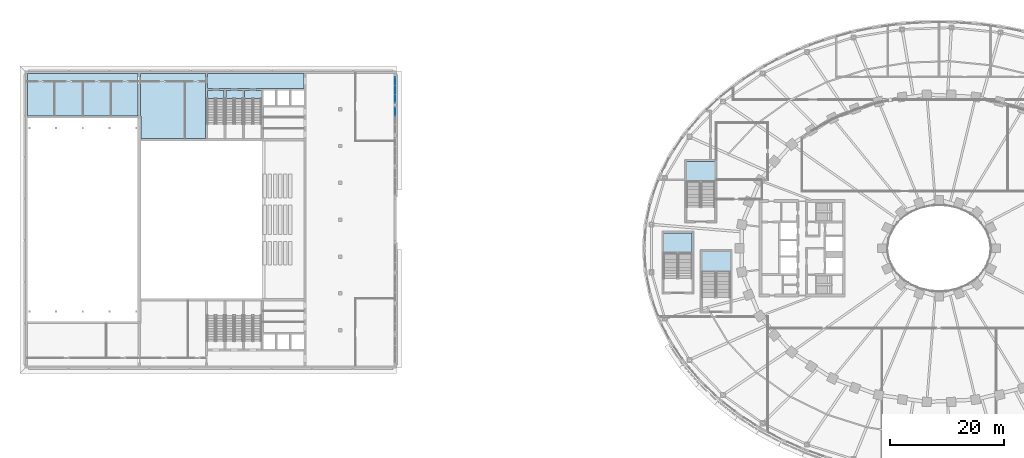
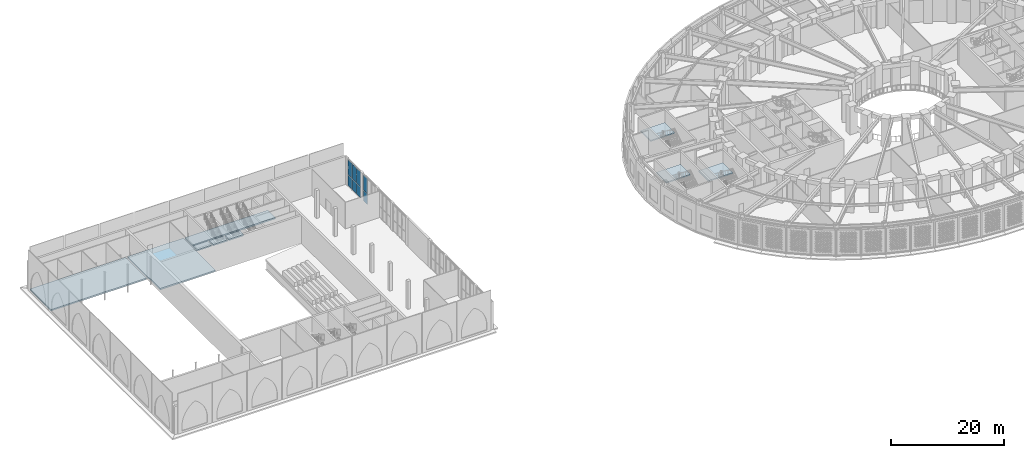
# One storey, part 15 of 74: 9 slabs, 8 plates, 5 elements without a shape of their own.
"""IFC4 building model written with IfcOpenShell, lengths in metres."""

import ifcopenshell
import ifcopenshell.guid

model = None  # the IFC model being written
_history = None  # IfcOwnerHistory: only IFC2X3 demands one
_inside = {}  # id of a spatial element -> (the spatial element, [elements in it])
_under = {}  # id of a project, library or spatial element -> (it, [spatial elements below it])
_declared = {}  # id of a project -> (the project, [libraries it declares])
_typed = {}  # id of a type object -> (the type object, [elements of that type])
_made_of = {}  # id of a material, layer set ... -> (it, [elements and type objects made of it])


def new_model(schema):
    """Start an empty IFC model of exactly this schema.

    Asked for "IFC4X3", IfcOpenShell would pick the latest addendum, in which some entities
    have other attributes; the version numbers below select the first issue.
    IFC2X3 requires an IfcOwnerHistory on every rooted entity: one is made here for all.
    """
    global model, _history
    if schema == "IFC4X3":
        model = ifcopenshell.file(schema_version=(4, 3, 0, 0))
    else:
        model = ifcopenshell.file(schema=schema)
    _inside.clear()
    _under.clear()
    _declared.clear()
    _typed.clear()
    _made_of.clear()
    _history = None
    if model.schema == "IFC2X3":
        org = make("IfcOrganization", Name="unknown")
        user = make(
            "IfcPersonAndOrganization",
            ThePerson=make("IfcPerson", FamilyName="unknown"),
            TheOrganization=org,
        )
        app = make(
            "IfcApplication",
            ApplicationDeveloper=org,
            Version="unknown",
            ApplicationFullName="unknown",
            ApplicationIdentifier="unknown",
        )
        _history = make(
            "IfcOwnerHistory",
            OwningUser=user,
            OwningApplication=app,
            ChangeAction="ADDED",
            CreationDate=0,
        )
    return model


def make(cls, **values):
    """One entity of the class cls with the attributes given. An attribute that is None is left unset."""
    return model.create_entity(
        cls, **{name: value for name, value in values.items() if value is not None}
    )


def rooted(cls, **values):
    """An entity with a GlobalId (a new one), such as an element, a storey or a relation."""
    return make(cls, GlobalId=ifcopenshell.guid.new(), OwnerHistory=_history, **values)


def si_unit(unit_type, name, prefix=None):
    """IfcSIUnit, for example si_unit("LENGTHUNIT", "METRE", prefix="MILLI")."""
    return make("IfcSIUnit", UnitType=unit_type, Prefix=prefix, Name=name)


def assignment(units):
    """IfcUnitAssignment: the units of a project."""
    return None if units is None else make("IfcUnitAssignment", Units=units)


def point(xyz):
    """IfcCartesianPoint."""
    return None if xyz is None else make("IfcCartesianPoint", Coordinates=xyz)


def direction(xyz):
    """IfcDirection."""
    return None if xyz is None else make("IfcDirection", DirectionRatios=xyz)


def frame(location, z_axis=None, x_axis=None):
    """IfcAxis2Placement3D, a coordinate frame: its origin and axes. An axis left out is left unset."""
    return make(
        "IfcAxis2Placement3D",
        Location=point(location),
        Axis=direction(z_axis),
        RefDirection=direction(x_axis),
    )


def frame_2d(location, x_axis=None):
    """IfcAxis2Placement2D, a coordinate frame in the plane: its origin and x axis."""
    return make(
        "IfcAxis2Placement2D", Location=point(location), RefDirection=direction(x_axis)
    )


def origin():
    """The frame at (0, 0, 0) with its axes left unset."""
    return frame((0.0, 0.0, 0.0))


def origin_2d():
    """The frame at (0, 0) in the plane with its x axis left unset."""
    return frame_2d((0.0, 0.0))


def place(relative_to, where):
    """IfcLocalPlacement: puts the frame where relative to a parent placement (None: the world)."""
    return make(
        "IfcLocalPlacement", PlacementRelTo=relative_to, RelativePlacement=where
    )


def context(
    kind, dimensions, precision=None, world=None, true_north=None, identifier=None
):
    """IfcGeometricRepresentationContext, for example the 3D "Model" context."""
    return make(
        "IfcGeometricRepresentationContext",
        ContextIdentifier=identifier,
        ContextType=kind,
        CoordinateSpaceDimension=dimensions,
        Precision=precision,
        WorldCoordinateSystem=world,
        TrueNorth=true_north,
    )


def subcontext(parent, identifier, kind, view, scale=None):
    """IfcGeometricRepresentationSubContext, for example "Body" below "Model"."""
    return make(
        "IfcGeometricRepresentationSubContext",
        ContextIdentifier=identifier,
        ContextType=kind,
        ParentContext=parent,
        TargetScale=scale,
        TargetView=view,
    )


def project(units=None, contexts=None):
    """IfcProject with its units and contexts."""
    return rooted(
        "IfcProject",
        Name="project",
        RepresentationContexts=contexts,
        UnitsInContext=assignment(units),
    )


def spatial(cls, under=None, at=None, **own):
    """A site, building, storey or space (cls), placed at a placement, below another one or the project."""
    s = rooted(cls, ObjectPlacement=at, **own)
    if under is not None:
        _under.setdefault(under.id(), (under, []))[1].append(s)
    return s


def polyline(points):
    """IfcPolyline through the points."""
    return make("IfcPolyline", Points=[point(p) for p in points])


def profile(cls, at=None, kind="AREA", **sizes):
    """A parametric profile (cls). Its sizes go by their IFC names, for example OverallWidth=200.0."""
    return make(cls, ProfileType=kind, Position=at, **sizes)


def rectangle(**sizes):
    """IfcRectangleProfileDef."""
    return profile("IfcRectangleProfileDef", **sizes)


def outline(outer, holes=None, kind="AREA"):
    """IfcArbitraryClosedProfileDef: a profile drawn as a closed curve; with holes, ...WithVoids."""
    if holes is None:
        return make("IfcArbitraryClosedProfileDef", ProfileType=kind, OuterCurve=outer)
    return make(
        "IfcArbitraryProfileDefWithVoids",
        ProfileType=kind,
        OuterCurve=outer,
        InnerCurves=holes,
    )


def extrude(swept, where, along, depth):
    """IfcExtrudedAreaSolid: the profile swept, set in the frame where, extruded along a direction by depth."""
    return make(
        "IfcExtrudedAreaSolid",
        SweptArea=swept,
        Position=where,
        ExtrudedDirection=direction(along),
        Depth=depth,
    )


def shape(context_of_items, identifier, shape_type, items):
    """IfcShapeRepresentation: the items that make up one representation, for example the "Body"."""
    return make(
        "IfcShapeRepresentation",
        ContextOfItems=context_of_items,
        RepresentationIdentifier=identifier,
        RepresentationType=shape_type,
        Items=items,
    )


def material(Name=None, Category=None):
    """IfcMaterial."""
    return make("IfcMaterial", Name=Name, Category=Category)


def layer(
    of_material, thickness, ventilated=None, Name=None, Category=None, Priority=None
):
    """IfcMaterialLayer: one layer of a wall or slab, of a material (None: an air gap)."""
    return make(
        "IfcMaterialLayer",
        Material=of_material,
        LayerThickness=thickness,
        IsVentilated=ventilated,
        Name=Name,
        Category=Category,
        Priority=Priority,
    )


def layer_set(layers, Name=None):
    """IfcMaterialLayerSet."""
    return make("IfcMaterialLayerSet", MaterialLayers=layers, LayerSetName=Name)


def made_of(thing, what):
    """Note that an element or type object is made of a material, layer set ...; save() writes the relation."""
    if what is not None:
        _made_of.setdefault(what.id(), (what, []))[1].append(thing)
    return thing


def type_object(cls, material=None, **own):
    """A type object (cls), such as IfcWallType, which elements share."""
    return made_of(rooted(cls, **own), material)


def element(
    cls,
    number,
    at=None,
    inside=None,
    cuts=None,
    type_object=None,
    material=None,
    context=None,
    identifier="Body",
    shape_type=None,
    held_by="IfcProductDefinitionShape",
    body=None,
    shapes=None,
    **own,
):
    """One element of the class cls, such as IfcWall. Its Tag is "e" and its number.

    at: its placement. inside: the storey or other place that contains it. cuts: it is an
    opening in that element (IfcRelVoidsElement). A single representation is given by context,
    identifier, shape_type and body (its items); several are given by shapes. held_by: the class
    of the entity that holds the representations. save() writes the other relations.
    """
    e = rooted(cls, Tag="e%d" % number, ObjectPlacement=at, **own)
    if body is not None:
        shapes = [shape(context, identifier, shape_type, body)]
    if shapes is not None:
        e.Representation = make(held_by, Representations=shapes)
    if inside is not None:
        _inside.setdefault(inside.id(), (inside, []))[1].append(e)
    if cuts is not None:
        rooted(
            "IfcRelVoidsElement", RelatingBuildingElement=cuts, RelatedOpeningElement=e
        )
    if type_object is not None:
        _typed.setdefault(type_object.id(), (type_object, []))[1].append(e)
    return made_of(e, material)


def aggregate(whole, parts):
    """IfcRelAggregates: a whole, such as a stair, and the parts it consists of."""
    return rooted("IfcRelAggregates", RelatingObject=whole, RelatedObjects=parts)


def save(model, path):
    """Write the relations noted so far, then the file.

    IfcRelAggregates (storeys below a building ...), IfcRelContainedInSpatialStructure (elements
    in a storey), IfcRelDefinesByType, IfcRelAssociatesMaterial and IfcRelDeclares: one each for
    every whole, place, type object, material and project.
    """
    for whole, parts in _under.values():
        aggregate(whole, parts)
    for where, things in _inside.values():
        rooted(
            "IfcRelContainedInSpatialStructure",
            RelatedElements=things,
            RelatingStructure=where,
        )
    for kind, things in _typed.values():
        rooted("IfcRelDefinesByType", RelatedObjects=things, RelatingType=kind)
    for what, things in _made_of.values():
        rooted("IfcRelAssociatesMaterial", RelatedObjects=things, RelatingMaterial=what)
    for by, libraries in _declared.values():
        rooted("IfcRelDeclares", RelatingContext=by, RelatedDefinitions=libraries)
    model.write(path)


model = new_model("IFC4")

# Units and contexts
model_context = context("Model", 3, precision=1e-05, world=origin(), true_north=direction((0.0, 1.0)))
body_context = subcontext(model_context, "Body", "Model", "MODEL_VIEW")
ifc_project = project(units=[si_unit("LENGTHUNIT", "METRE"), si_unit("AREAUNIT", "SQUARE_METRE"), si_unit("VOLUMEUNIT", "CUBIC_METRE"), si_unit("PLANEANGLEUNIT", "RADIAN"), si_unit("MASSUNIT", "GRAM", prefix="KILO")], contexts=[model_context])

# Site, building, storey
site_placement = place(None, origin())
site = spatial("IfcSite", under=ifc_project, at=site_placement, CompositionType="ELEMENT")
building_placement = place(site_placement, origin())
building = spatial("IfcBuilding", under=site, at=building_placement, Name="Noorbagh Ring Tower", CompositionType="ELEMENT")
storey_placement = place(building_placement, frame((0.0, 0.0, 13.5)))
storey = spatial("IfcBuildingStorey", under=building, at=storey_placement, Name="L02", CompositionType="ELEMENT", Elevation=13.5)

# Stair, slab
ifc_material_1 = material(Name="Concrete C40/50", Category="concrete")
stair_type = type_object("IfcStairType", Name="GND-STAIR", PredefinedType="HALF_TURN_STAIR", material=ifc_material_1)
stair_1_placement = place(storey_placement, origin())
stair_1 = element("IfcStair", 1, at=stair_1_placement, inside=storey, type_object=stair_type, Name="L02 exit stair ST-P1", PredefinedType="HALF_TURN_STAIR")
ifc_material_2 = material(Name="Concrete C40/50", Category="concrete")
ifc_layer_1 = layer(ifc_material_2, 0.25)
ifc_layer_set_1 = layer_set([ifc_layer_1], Name="Concrete C40/50")
slab_type_1 = type_object("IfcSlabType", Name="GND-STAIR-LANDING", PredefinedType="LANDING", material=ifc_layer_set_1)
slab_1_placement = place(storey_placement, frame((0.0, 0.0, 2.75)))
slab_1 = element("IfcSlab", 2, at=slab_1_placement, type_object=slab_type_1, Name="ST-P1 landing 1", PredefinedType="LANDING", context=body_context, shape_type="SweptSolid", body=[
    extrude(outline(polyline([(-36.550048828125, -4.1201171875), (-36.550048828125, -0.60009765625), (-41.5, -0.60009765625), (-41.5, -4.1201171875), (-36.550048828125, -4.1201171875)])), origin(), (0.0, 0.0, 1.0), 0.25),
])
aggregate(stair_1, [slab_1])

stair_2_placement = place(storey_placement, origin())
stair_2 = element("IfcStair", 3, at=stair_2_placement, inside=storey, type_object=stair_type, Name="L02 exit stair ST-P3", PredefinedType="HALF_TURN_STAIR")
slab_2_placement = place(storey_placement, frame((0.0, 0.0, 2.75)))
slab_2 = element("IfcSlab", 4, at=slab_2_placement, type_object=slab_type_1, Name="ST-P3 landing 1", PredefinedType="LANDING", context=body_context, shape_type="SweptSolid", body=[
    extrude(outline(polyline([(-43.25, -0.820068359375), (-43.25, 2.699951171875), (-48.199951171875, 2.699951171875), (-48.199951171875, -0.820068359375), (-43.25, -0.820068359375)])), origin(), (0.0, 0.0, 1.0), 0.25),
])
aggregate(stair_2, [slab_2])

stair_3_placement = place(storey_placement, origin())
stair_3 = element("IfcStair", 5, at=stair_3_placement, inside=storey, type_object=stair_type, Name="L02 exit stair ST-P7", PredefinedType="HALF_TURN_STAIR")
slab_3_placement = place(storey_placement, frame((0.0, 0.0, 2.75)))
slab_3 = element("IfcSlab", 6, at=slab_3_placement, type_object=slab_type_1, Name="ST-P7 landing 1", PredefinedType="LANDING", context=body_context, shape_type="SweptSolid", body=[
    extrude(outline(polyline([(-39.25, 11.679931640625), (-39.25, 15.199951171875), (-44.199951171875, 15.199951171875), (-44.199951171875, 11.679931640625), (-39.25, 11.679931640625)])), origin(), (0.0, 0.0, 1.0), 0.25),
])
aggregate(stair_3, [slab_3])

# Curtain wall, plates
ifc_material_3 = material(Name="Aluminium and glass", Category="aluminium")
ifc_layer_2 = layer(ifc_material_3, 0.199951171875)
ifc_layer_set_2 = layer_set([ifc_layer_2], Name="Aluminium and glass")
curtain_wall_type = type_object("IfcCurtainWallType", Name="TH-CW", PredefinedType="NOTDEFINED", material=ifc_layer_set_2)
curtain_wall_1_placement = place(storey_placement, origin())
curtain_wall_1 = element("IfcCurtainWall", 7, at=curtain_wall_1_placement, inside=storey, type_object=curtain_wall_type, Name="Foyer glazing", PredefinedType="NOTDEFINED")
ifc_material_4 = material(Name="Clear laminated glass", Category="glass")
ifc_layer_3 = layer(ifc_material_4, 0.028076171875)
ifc_layer_set_3 = layer_set([ifc_layer_3], Name="Clear laminated glass")
plate_type = type_object("IfcPlateType", Name="TH-CW-PANEL", PredefinedType="CURTAIN_PANEL", material=ifc_layer_set_3)
plate_1_placement = place(storey_placement, frame((-95.199951171875, 23.876708984375, 0.06005859375), z_axis=(0.0, 0.0, 1.0), x_axis=(0.0, 1.0, 0.0)))
plate_1 = element("IfcPlate", 8, at=plate_1_placement, type_object=plate_type, Name="CW-T panel 3.1", PredefinedType="CURTAIN_PANEL", context=body_context, shape_type="SweptSolid", body=[
    extrude(rectangle(XDim=1.4267578125, YDim=0.028076171875, at=origin_2d()), origin(), (0.0, 0.0, 1.0), 2.31005859375),
])
plate_2_placement = place(storey_placement, frame((-95.199951171875, 23.876708984375, 2.429931640625), z_axis=(0.0, 0.0, 1.0), x_axis=(0.0, 1.0, 0.0)))
plate_2 = element("IfcPlate", 9, at=plate_2_placement, type_object=plate_type, Name="CW-T panel 3.2", PredefinedType="CURTAIN_PANEL", context=body_context, shape_type="SweptSolid", body=[
    extrude(rectangle(XDim=1.4267578125, YDim=0.028076171875, at=origin_2d()), origin(), (0.0, 0.0, 1.0), 3.2099609375),
])
aggregate(curtain_wall_1, [plate_1, plate_2])

curtain_wall_2_placement = place(storey_placement, origin())
curtain_wall_2 = element("IfcCurtainWall", 10, at=curtain_wall_2_placement, inside=storey, type_object=curtain_wall_type, Name="Foyer glazing", PredefinedType="NOTDEFINED")
plate_3_placement = place(storey_placement, frame((-95.199951171875, 26.223388671875, 0.06005859375), z_axis=(0.0, 0.0, 1.0), x_axis=(0.0, 1.0, 0.0)))
plate_3 = element("IfcPlate", 11, at=plate_3_placement, type_object=plate_type, Name="CW-T panel 1.1", PredefinedType="CURTAIN_PANEL", context=body_context, shape_type="SweptSolid", body=[
    extrude(rectangle(XDim=1.4267578125, YDim=0.028076171875, at=origin_2d()), origin(), (0.0, 0.0, 1.0), 2.31005859375),
])
plate_4_placement = place(storey_placement, frame((-95.199951171875, 26.223388671875, 2.429931640625), z_axis=(0.0, 0.0, 1.0), x_axis=(0.0, 1.0, 0.0)))
plate_4 = element("IfcPlate", 12, at=plate_4_placement, type_object=plate_type, Name="CW-T panel 1.2", PredefinedType="CURTAIN_PANEL", context=body_context, shape_type="SweptSolid", body=[
    extrude(rectangle(XDim=1.4267578125, YDim=0.028076171875, at=origin_2d()), origin(), (0.0, 0.0, 1.0), 3.2099609375),
])
plate_5_placement = place(storey_placement, frame((-95.199951171875, 27.72509765625, 0.06005859375), z_axis=(0.0, 0.0, 1.0), x_axis=(0.0, 1.0, 0.0)))
plate_5 = element("IfcPlate", 13, at=plate_5_placement, type_object=plate_type, Name="CW-T panel 2.1", PredefinedType="CURTAIN_PANEL", context=body_context, shape_type="SweptSolid", body=[
    extrude(rectangle(XDim=1.456787109375, YDim=0.028076171875, at=origin_2d()), origin(), (0.0, 0.0, 1.0), 2.31005859375),
])
plate_6_placement = place(storey_placement, frame((-95.199951171875, 27.72509765625, 2.429931640625), z_axis=(0.0, 0.0, 1.0), x_axis=(0.0, 1.0, 0.0)))
plate_6 = element("IfcPlate", 14, at=plate_6_placement, type_object=plate_type, Name="CW-T panel 2.2", PredefinedType="CURTAIN_PANEL", context=body_context, shape_type="SweptSolid", body=[
    extrude(rectangle(XDim=1.456787109375, YDim=0.028076171875, at=origin_2d()), origin(), (0.0, 0.0, 1.0), 3.2099609375),
])
plate_7_placement = place(storey_placement, frame((-95.199951171875, 29.2265625, 0.06005859375), z_axis=(0.0, 0.0, 1.0), x_axis=(0.0, 1.0, 0.0)))
plate_7 = element("IfcPlate", 15, at=plate_7_placement, type_object=plate_type, Name="CW-T panel 3.1", PredefinedType="CURTAIN_PANEL", context=body_context, shape_type="SweptSolid", body=[
    extrude(rectangle(XDim=1.4267578125, YDim=0.028076171875, at=origin_2d()), origin(), (0.0, 0.0, 1.0), 2.31005859375),
])
plate_8_placement = place(storey_placement, frame((-95.199951171875, 29.2265625, 2.429931640625), z_axis=(0.0, 0.0, 1.0), x_axis=(0.0, 1.0, 0.0)))
plate_8 = element("IfcPlate", 16, at=plate_8_placement, type_object=plate_type, Name="CW-T panel 3.2", PredefinedType="CURTAIN_PANEL", context=body_context, shape_type="SweptSolid", body=[
    extrude(rectangle(XDim=1.4267578125, YDim=0.028076171875, at=origin_2d()), origin(), (0.0, 0.0, 1.0), 3.2099609375),
])
aggregate(curtain_wall_2, [plate_3, plate_4, plate_5, plate_6, plate_7, plate_8])

# Slabs
ifc_material_5 = material(Name="Concrete C40/50", Category="concrete")
ifc_layer_4 = layer(ifc_material_5, 0.300048828125)
ifc_layer_set_4 = layer_set([ifc_layer_4], Name="Concrete C40/50")
slab_type_2 = type_object("IfcSlabType", Name="TH-SLAB-FLOOR", PredefinedType="FLOOR", material=ifc_layer_set_4)
slab_4_placement = place(storey_placement, frame((0.0, 0.0, -0.300048828125)))
element("IfcSlab", 17, at=slab_4_placement, inside=storey, type_object=slab_type_2, Name="Floor slab", PredefinedType="FLOOR", context=body_context, shape_type="SweptSolid", body=[
    extrude(outline(polyline([(-159.60009765625, 30.60009765625), (-159.60009765625, 23.199951171875), (-140.199951171875, 23.199951171875), (-140.199951171875, 30.60009765625), (-159.60009765625, 30.60009765625)])), origin(), (0.0, 0.0, 1.0), 0.300048828125),
])
slab_5_placement = place(storey_placement, frame((0.0, 0.0, -0.300048828125)))
element("IfcSlab", 18, at=slab_5_placement, inside=storey, type_object=slab_type_2, Name="Floor slab", PredefinedType="FLOOR", context=body_context, shape_type="SweptSolid", body=[
    extrude(outline(polyline([(-139.699951171875, 19.199951171875), (-128.39990234375, 19.199951171875), (-128.39990234375, 30.60009765625), (-139.800048828125, 30.60009765625), (-139.800048828125, 23.199951171875), (-139.699951171875, 23.199951171875), (-139.699951171875, 22.800048828125), (-139.699951171875, 19.199951171875)])), origin(), (0.0, 0.0, 1.0), 0.300048828125),
])
slab_6_placement = place(storey_placement, frame((0.0, 0.0, -0.300048828125)))
element("IfcSlab", 19, at=slab_6_placement, inside=storey, type_object=slab_type_2, Name="Floor slab", PredefinedType="FLOOR", context=body_context, shape_type="SweptSolid", body=[
    extrude(outline(polyline([(-125.14990234375, 27.64990234375), (-128.10009765625, 27.64990234375), (-128.10009765625, 26.24951171875), (-125.14990234375, 26.24951171875), (-125.14990234375, 27.64990234375)])), origin(), (0.0, 0.0, 1.0), 0.300048828125),
])
slab_7_placement = place(storey_placement, frame((0.0, 0.0, -0.300048828125)))
element("IfcSlab", 20, at=slab_7_placement, inside=storey, type_object=slab_type_2, Name="Floor slab", PredefinedType="FLOOR", context=body_context, shape_type="SweptSolid", body=[
    extrude(outline(polyline([(-121.89990234375, 27.64990234375), (-124.85009765625, 27.64990234375), (-124.85009765625, 26.24951171875), (-121.89990234375, 26.24951171875), (-121.89990234375, 27.64990234375)])), origin(), (0.0, 0.0, 1.0), 0.300048828125),
])
slab_8_placement = place(storey_placement, frame((0.0, 0.0, -0.300048828125)))
element("IfcSlab", 21, at=slab_8_placement, inside=storey, type_object=slab_type_2, Name="Floor slab", PredefinedType="FLOOR", context=body_context, shape_type="SweptSolid", body=[
    extrude(outline(polyline([(-121.60009765625, 27.64990234375), (-121.60009765625, 26.24951171875), (-118.64990234375, 26.24951171875), (-118.64990234375, 27.64990234375), (-121.60009765625, 27.64990234375)])), origin(), (0.0, 0.0, 1.0), 0.300048828125),
])
slab_9_placement = place(storey_placement, frame((0.0, 0.0, -0.300048828125)))
element("IfcSlab", 22, at=slab_9_placement, inside=storey, type_object=slab_type_2, Name="Floor slab", PredefinedType="FLOOR", context=body_context, shape_type="SweptSolid", body=[
    extrude(outline(polyline([(-111.199951171875, 27.949951171875), (-111.199951171875, 30.60009765625), (-128.10009765625, 30.60009765625), (-128.10009765625, 27.949951171875), (-111.199951171875, 27.949951171875)])), origin(), (0.0, 0.0, 1.0), 0.300048828125),
])

save(model, "model.ifc")
